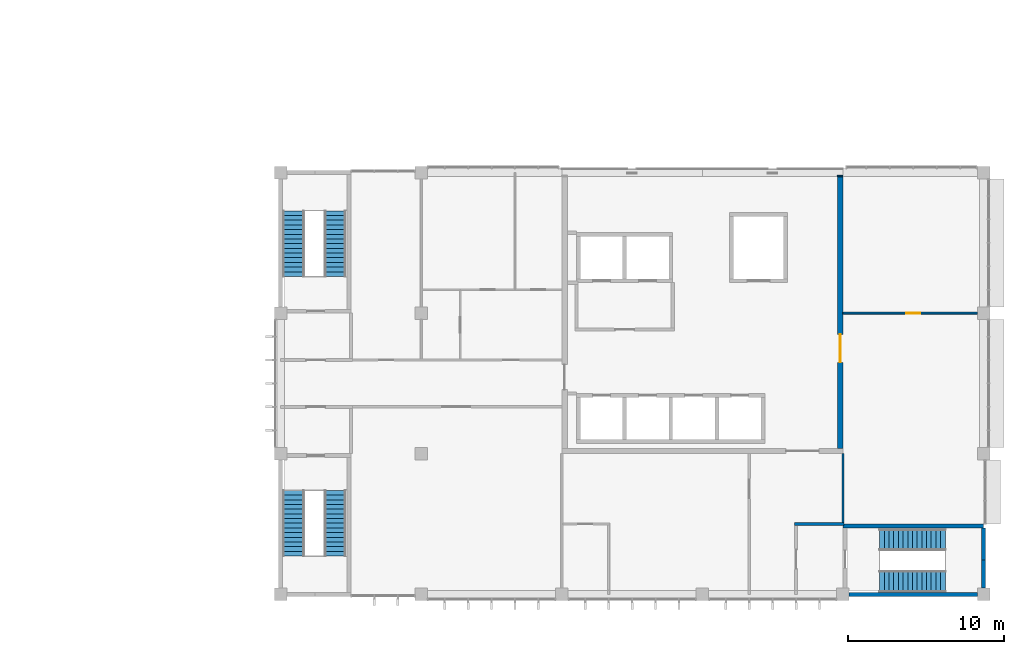
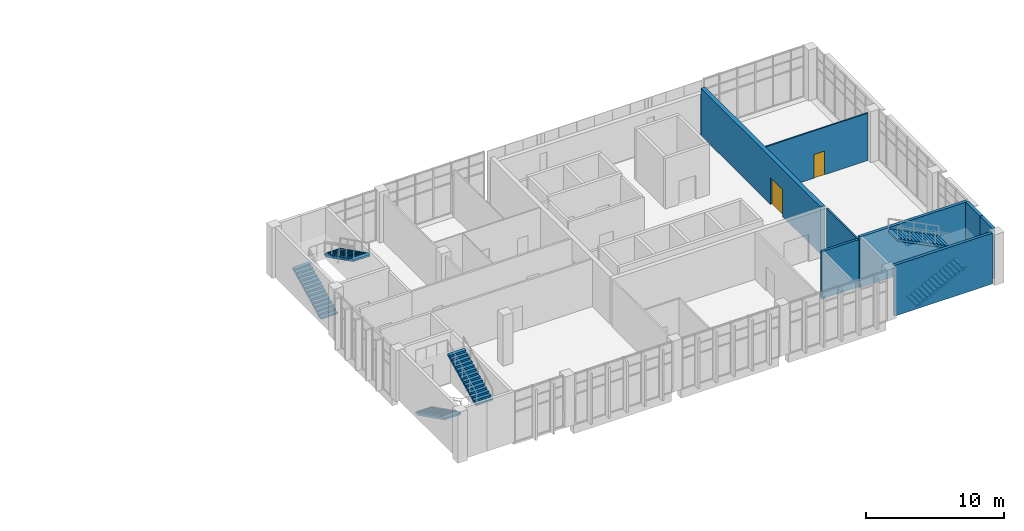
# One storey, part 35 of 43: 9 walls, 6 stair flights, 2 doors, 2 openings, 3 elements without a shape of their own.
"""IFC4 building model written with IfcOpenShell, lengths in metres."""

import ifcopenshell
import ifcopenshell.guid

model = None  # the IFC model being written
_history = None  # IfcOwnerHistory: only IFC2X3 demands one
_inside = {}  # id of a spatial element -> (the spatial element, [elements in it])
_under = {}  # id of a project, library or spatial element -> (it, [spatial elements below it])
_declared = {}  # id of a project -> (the project, [libraries it declares])
_typed = {}  # id of a type object -> (the type object, [elements of that type])
_made_of = {}  # id of a material, layer set ... -> (it, [elements and type objects made of it])


def new_model(schema):
    """Start an empty IFC model of exactly this schema.

    Asked for "IFC4X3", IfcOpenShell would pick the latest addendum, in which some entities
    have other attributes; the version numbers below select the first issue.
    IFC2X3 requires an IfcOwnerHistory on every rooted entity: one is made here for all.
    """
    global model, _history
    if schema == "IFC4X3":
        model = ifcopenshell.file(schema_version=(4, 3, 0, 0))
    else:
        model = ifcopenshell.file(schema=schema)
    _inside.clear()
    _under.clear()
    _declared.clear()
    _typed.clear()
    _made_of.clear()
    _history = None
    if model.schema == "IFC2X3":
        org = make("IfcOrganization", Name="unknown")
        user = make(
            "IfcPersonAndOrganization",
            ThePerson=make("IfcPerson", FamilyName="unknown"),
            TheOrganization=org,
        )
        app = make(
            "IfcApplication",
            ApplicationDeveloper=org,
            Version="unknown",
            ApplicationFullName="unknown",
            ApplicationIdentifier="unknown",
        )
        _history = make(
            "IfcOwnerHistory",
            OwningUser=user,
            OwningApplication=app,
            ChangeAction="ADDED",
            CreationDate=0,
        )
    return model


def make(cls, **values):
    """One entity of the class cls with the attributes given. An attribute that is None is left unset."""
    return model.create_entity(
        cls, **{name: value for name, value in values.items() if value is not None}
    )


def rooted(cls, **values):
    """An entity with a GlobalId (a new one), such as an element, a storey or a relation."""
    return make(cls, GlobalId=ifcopenshell.guid.new(), OwnerHistory=_history, **values)


def si_unit(unit_type, name, prefix=None):
    """IfcSIUnit, for example si_unit("LENGTHUNIT", "METRE", prefix="MILLI")."""
    return make("IfcSIUnit", UnitType=unit_type, Prefix=prefix, Name=name)


def assignment(units):
    """IfcUnitAssignment: the units of a project."""
    return None if units is None else make("IfcUnitAssignment", Units=units)


def point(xyz):
    """IfcCartesianPoint."""
    return None if xyz is None else make("IfcCartesianPoint", Coordinates=xyz)


def direction(xyz):
    """IfcDirection."""
    return None if xyz is None else make("IfcDirection", DirectionRatios=xyz)


def frame(location, z_axis=None, x_axis=None):
    """IfcAxis2Placement3D, a coordinate frame: its origin and axes. An axis left out is left unset."""
    return make(
        "IfcAxis2Placement3D",
        Location=point(location),
        Axis=direction(z_axis),
        RefDirection=direction(x_axis),
    )


def frame_2d(location, x_axis=None):
    """IfcAxis2Placement2D, a coordinate frame in the plane: its origin and x axis."""
    return make(
        "IfcAxis2Placement2D", Location=point(location), RefDirection=direction(x_axis)
    )


def origin():
    """The frame at (0, 0, 0) with its axes left unset."""
    return frame((0.0, 0.0, 0.0))


def place(relative_to, where):
    """IfcLocalPlacement: puts the frame where relative to a parent placement (None: the world)."""
    return make(
        "IfcLocalPlacement", PlacementRelTo=relative_to, RelativePlacement=where
    )


def context(
    kind, dimensions, precision=None, world=None, true_north=None, identifier=None
):
    """IfcGeometricRepresentationContext, for example the 3D "Model" context."""
    return make(
        "IfcGeometricRepresentationContext",
        ContextIdentifier=identifier,
        ContextType=kind,
        CoordinateSpaceDimension=dimensions,
        Precision=precision,
        WorldCoordinateSystem=world,
        TrueNorth=true_north,
    )


def subcontext(parent, identifier, kind, view, scale=None):
    """IfcGeometricRepresentationSubContext, for example "Body" below "Model"."""
    return make(
        "IfcGeometricRepresentationSubContext",
        ContextIdentifier=identifier,
        ContextType=kind,
        ParentContext=parent,
        TargetScale=scale,
        TargetView=view,
    )


def project(units=None, contexts=None):
    """IfcProject with its units and contexts."""
    return rooted(
        "IfcProject",
        Name="project",
        RepresentationContexts=contexts,
        UnitsInContext=assignment(units),
    )


def spatial(cls, under=None, at=None, **own):
    """A site, building, storey or space (cls), placed at a placement, below another one or the project."""
    s = rooted(cls, ObjectPlacement=at, **own)
    if under is not None:
        _under.setdefault(under.id(), (under, []))[1].append(s)
    return s


def polyline(points):
    """IfcPolyline through the points."""
    return make("IfcPolyline", Points=[point(p) for p in points])


def profile(cls, at=None, kind="AREA", **sizes):
    """A parametric profile (cls). Its sizes go by their IFC names, for example OverallWidth=200.0."""
    return make(cls, ProfileType=kind, Position=at, **sizes)


def rectangle(**sizes):
    """IfcRectangleProfileDef."""
    return profile("IfcRectangleProfileDef", **sizes)


def outline(outer, holes=None, kind="AREA"):
    """IfcArbitraryClosedProfileDef: a profile drawn as a closed curve; with holes, ...WithVoids."""
    if holes is None:
        return make("IfcArbitraryClosedProfileDef", ProfileType=kind, OuterCurve=outer)
    return make(
        "IfcArbitraryProfileDefWithVoids",
        ProfileType=kind,
        OuterCurve=outer,
        InnerCurves=holes,
    )


def extrude(swept, where, along, depth):
    """IfcExtrudedAreaSolid: the profile swept, set in the frame where, extruded along a direction by depth."""
    return make(
        "IfcExtrudedAreaSolid",
        SweptArea=swept,
        Position=where,
        ExtrudedDirection=direction(along),
        Depth=depth,
    )


def shape(context_of_items, identifier, shape_type, items):
    """IfcShapeRepresentation: the items that make up one representation, for example the "Body"."""
    return make(
        "IfcShapeRepresentation",
        ContextOfItems=context_of_items,
        RepresentationIdentifier=identifier,
        RepresentationType=shape_type,
        Items=items,
    )


def material(Name=None, Category=None):
    """IfcMaterial."""
    return make("IfcMaterial", Name=Name, Category=Category)


def layer(
    of_material, thickness, ventilated=None, Name=None, Category=None, Priority=None
):
    """IfcMaterialLayer: one layer of a wall or slab, of a material (None: an air gap)."""
    return make(
        "IfcMaterialLayer",
        Material=of_material,
        LayerThickness=thickness,
        IsVentilated=ventilated,
        Name=Name,
        Category=Category,
        Priority=Priority,
    )


def layer_set(layers, Name=None):
    """IfcMaterialLayerSet."""
    return make("IfcMaterialLayerSet", MaterialLayers=layers, LayerSetName=Name)


def made_of(thing, what):
    """Note that an element or type object is made of a material, layer set ...; save() writes the relation."""
    if what is not None:
        _made_of.setdefault(what.id(), (what, []))[1].append(thing)
    return thing


def type_object(cls, material=None, **own):
    """A type object (cls), such as IfcWallType, which elements share."""
    return made_of(rooted(cls, **own), material)


def element(
    cls,
    number,
    at=None,
    inside=None,
    cuts=None,
    type_object=None,
    material=None,
    context=None,
    identifier="Body",
    shape_type=None,
    held_by="IfcProductDefinitionShape",
    body=None,
    shapes=None,
    **own,
):
    """One element of the class cls, such as IfcWall. Its Tag is "e" and its number.

    at: its placement. inside: the storey or other place that contains it. cuts: it is an
    opening in that element (IfcRelVoidsElement). A single representation is given by context,
    identifier, shape_type and body (its items); several are given by shapes. held_by: the class
    of the entity that holds the representations. save() writes the other relations.
    """
    e = rooted(cls, Tag="e%d" % number, ObjectPlacement=at, **own)
    if body is not None:
        shapes = [shape(context, identifier, shape_type, body)]
    if shapes is not None:
        e.Representation = make(held_by, Representations=shapes)
    if inside is not None:
        _inside.setdefault(inside.id(), (inside, []))[1].append(e)
    if cuts is not None:
        rooted(
            "IfcRelVoidsElement", RelatingBuildingElement=cuts, RelatedOpeningElement=e
        )
    if type_object is not None:
        _typed.setdefault(type_object.id(), (type_object, []))[1].append(e)
    return made_of(e, material)


def fill(opening, filler):
    """IfcRelFillsElement: the door or window that sits in an opening."""
    return rooted(
        "IfcRelFillsElement",
        RelatingOpeningElement=opening,
        RelatedBuildingElement=filler,
    )


def aggregate(whole, parts):
    """IfcRelAggregates: a whole, such as a stair, and the parts it consists of."""
    return rooted("IfcRelAggregates", RelatingObject=whole, RelatedObjects=parts)


def save(model, path):
    """Write the relations noted so far, then the file.

    IfcRelAggregates (storeys below a building ...), IfcRelContainedInSpatialStructure (elements
    in a storey), IfcRelDefinesByType, IfcRelAssociatesMaterial and IfcRelDeclares: one each for
    every whole, place, type object, material and project.
    """
    for whole, parts in _under.values():
        aggregate(whole, parts)
    for where, things in _inside.values():
        rooted(
            "IfcRelContainedInSpatialStructure",
            RelatedElements=things,
            RelatingStructure=where,
        )
    for kind, things in _typed.values():
        rooted("IfcRelDefinesByType", RelatedObjects=things, RelatingType=kind)
    for what, things in _made_of.values():
        rooted("IfcRelAssociatesMaterial", RelatedObjects=things, RelatingMaterial=what)
    for by, libraries in _declared.values():
        rooted("IfcRelDeclares", RelatingContext=by, RelatedDefinitions=libraries)
    model.write(path)


model = new_model("IFC4")

# Units and contexts
model_context = context("Model", 3, precision=1e-05, world=origin(), true_north=direction((0.0, 1.0)))
body_context = subcontext(model_context, "Body", "Model", "MODEL_VIEW")
ifc_project = project(units=[si_unit("LENGTHUNIT", "METRE"), si_unit("AREAUNIT", "SQUARE_METRE"), si_unit("VOLUMEUNIT", "CUBIC_METRE"), si_unit("PLANEANGLEUNIT", "RADIAN"), si_unit("MASSUNIT", "GRAM", prefix="KILO")], contexts=[model_context])

# Site, building, storey
site_placement = place(None, origin())
site = spatial("IfcSite", under=ifc_project, at=site_placement, CompositionType="ELEMENT")
building_placement = place(site_placement, origin())
building = spatial("IfcBuilding", under=site, at=building_placement, Name="Guidao Yard Department Store", CompositionType="ELEMENT")
storey_placement = place(building_placement, frame((0.0, 0.0, 28.5)))
storey = spatial("IfcBuildingStorey", under=building, at=storey_placement, Name="L06", CompositionType="ELEMENT", Elevation=28.5)

# Wall
ifc_material_1 = material(Name="Gypsum Board")
ifc_layer_1 = layer(ifc_material_1, 0.14990234375)
ifc_layer_set_1 = layer_set([ifc_layer_1], Name="Corridor Partition 150 Gypsum Board EI 60")
wall_type_1 = type_object("IfcWallType", Name="Corridor Partition 150 Gypsum Board EI 60", PredefinedType="PARTITIONING", material=ifc_layer_set_1)
wall_1_placement = place(storey_placement, frame((162.0, 4.60009765625, 0.0), z_axis=(0.0, 0.0, 1.0), x_axis=(0.0, 1.0, 0.0)))
element("IfcWall", 1, at=wall_1_placement, inside=storey, type_object=wall_type_1, Name="pt.wall.L06.0028", PredefinedType="PARTITIONING", context=body_context, shape_type="SweptSolid", body=[
    extrude(rectangle(XDim=4.39990234375, YDim=0.14990234375, at=frame_2d((2.199951171875, 0.0))), origin(), (0.0, 0.0, 1.0), 4.199951171875),
])

# Wall, opening, door
ifc_material_2 = material(Name="Gypsum Board")
ifc_layer_2 = layer(ifc_material_2, 0.1201171875)
ifc_layer_set_2 = layer_set([ifc_layer_2], Name="Partition 120 Gypsum Board EI 45")
wall_type_2 = type_object("IfcWallType", Name="Partition 120 Gypsum Board EI 45", PredefinedType="PARTITIONING", material=ifc_layer_set_2)
wall_2_placement = place(storey_placement, frame((162.0, 18.0, 0.0), z_axis=(0.0, 0.0, 1.0), x_axis=(1.0, 0.0, 0.0)))
wall_2 = element("IfcWall", 2, at=wall_2_placement, inside=storey, type_object=wall_type_2, Name="pt.wall.L06.0010", PredefinedType="PARTITIONING", context=body_context, shape_type="SweptSolid", body=[
    extrude(rectangle(XDim=8.60009765625, YDim=0.1201171875, at=frame_2d((4.300048828125, 0.0))), origin(), (0.0, 0.0, 1.0), 4.199951171875),
])
opening_1_placement = place(wall_2_placement, frame((4.050048828125, 0.0, 0.0)))
opening_1 = element("IfcOpeningElement", 3, at=opening_1_placement, cuts=wall_2, Name="Opening L06-415", PredefinedType="OPENING", context=body_context, shape_type="SweptSolid", body=[
    extrude(rectangle(XDim=0.89990234375, YDim=2.10009765625, at=frame_2d((0.449951171875, 1.050048828125))), frame((0.0, 0.070068359375, 0.0), z_axis=(0.0, -1.0, 0.0), x_axis=(1.0, 0.0, 0.0)), (0.0, 0.0, 1.0), 0.14013671875),
])
ifc_material_3 = material(Name="Timber door leaf with Steel Q235 frame", Category="steel")
door_type_1 = type_object("IfcDoorType", Name="Door 900 x 2100 NOT RATED Single Leaf", OperationType="SINGLE_SWING_LEFT", PredefinedType="DOOR", material=ifc_material_3)
door_1_placement = place(opening_1_placement, origin())
door_1 = element("IfcDoor", 4, at=door_1_placement, inside=storey, type_object=door_type_1, Name="Door L06-415", OperationType="SINGLE_SWING_RIGHT", OverallHeight=2.10009765625, OverallWidth=0.89990234375, PredefinedType="DOOR", context=body_context, shape_type="SweptSolid", body=[
    extrude(rectangle(XDim=0.89990234375, YDim=2.10009765625, at=frame_2d((0.449951171875, 1.050048828125))), frame((0.0, 0.02490234375, 0.0), z_axis=(0.0, -1.0, 0.0), x_axis=(1.0, 0.0, 0.0)), (0.0, 0.0, 1.0), 0.050048828125),
])
fill(opening_1, door_1)

# Wall
ifc_material_4 = material(Name="Autoclaved aerated concrete block A3.5 B06", Category="concrete")
ifc_layer_3 = layer(ifc_material_4, 0.199951171875)
ifc_layer_set_3 = layer_set([ifc_layer_3], Name="Shaft Wall 200 Autoclaved Block EI 120")
wall_type_3 = type_object("IfcWallType", Name="Shaft Wall 200 Autoclaved Block EI 120", PredefinedType="PARTITIONING", material=ifc_layer_set_3)
wall_3_placement = place(storey_placement, frame((158.89990234375, 4.5, 0.0), z_axis=(0.0, 0.0, 1.0), x_axis=(1.0, 0.0, 0.0)))
element("IfcWall", 5, at=wall_3_placement, inside=storey, type_object=wall_type_3, Name="pt.wall.L06.0002", PredefinedType="PARTITIONING", context=body_context, shape_type="SweptSolid", body=[
    extrude(rectangle(XDim=3.175048828125, YDim=0.199951171875, at=frame_2d((1.58740234375, 0.0))), origin(), (0.0, 0.0, 1.0), 4.199951171875),
])

# Wall, opening, door
ifc_material_5 = material(Name="Concrete C50", Category="concrete")
ifc_layer_4 = layer(ifc_material_5, 0.35009765625)
ifc_layer_set_4 = layer_set([ifc_layer_4], Name="Shear Wall 350 Concrete C50")
wall_type_4 = type_object("IfcWallType", Name="Shear Wall 350 Concrete C50", PredefinedType="SHEAR", material=ifc_layer_set_4)
wall_4_placement = place(storey_placement, frame((161.824951171875, 9.35009765625, 0.0), z_axis=(0.0, 0.0, 1.0), x_axis=(0.0, 1.0, 0.0)))
wall_4 = element("IfcWall", 6, at=wall_4_placement, inside=storey, type_object=wall_type_4, Name="pt.wall.L06.0027", PredefinedType="SHEAR", context=body_context, shape_type="SweptSolid", body=[
    extrude(rectangle(XDim=17.39990234375, YDim=0.35009765625, at=frame_2d((8.699951171875, 0.0))), origin(), (0.0, 0.0, 1.0), 4.199951171875),
])
opening_2_placement = place(wall_4_placement, frame((7.300048828125, 0.0, 0.0), z_axis=(0.0, 0.0, 1.0), x_axis=(-1.0, 0.0, 0.0)))
opening_2 = element("IfcOpeningElement", 7, at=opening_2_placement, cuts=wall_4, Name="Opening L06-405", PredefinedType="OPENING", context=body_context, shape_type="SweptSolid", body=[
    extrude(rectangle(XDim=1.800048828125, YDim=2.39990234375, at=frame_2d((0.89990234375, 1.199951171875))), frame((0.0, 0.18505859375, 0.0), z_axis=(0.0, -1.0, 0.0), x_axis=(1.0, 0.0, 0.0)), (0.0, 0.0, 1.0), 0.3701171875),
])
ifc_material_6 = material(Name="Timber door leaf with Steel Q235 frame", Category="steel")
door_type_2 = type_object("IfcDoorType", Name="Door 1800 x 2400 FD60 Double Leaf", OperationType="DOUBLE_DOOR_SINGLE_SWING", PredefinedType="DOOR", material=ifc_material_6)
door_2_placement = place(opening_2_placement, origin())
door_2 = element("IfcDoor", 8, at=door_2_placement, inside=storey, type_object=door_type_2, Name="Door L06-405", OperationType="DOUBLE_DOOR_SINGLE_SWING", OverallHeight=2.39990234375, OverallWidth=1.800048828125, PredefinedType="DOOR", context=body_context, shape_type="SweptSolid", body=[
    extrude(rectangle(XDim=1.800048828125, YDim=2.39990234375, at=frame_2d((0.89990234375, 1.199951171875))), frame((0.0, 0.02490234375, 0.0), z_axis=(0.0, -1.0, 0.0), x_axis=(1.0, 0.0, 0.0)), (0.0, 0.0, 1.0), 0.050048828125),
])
fill(opening_2, door_2)

# Walls
wall_5_placement = place(storey_placement, frame((161.824951171875, 26.75, 0.0), z_axis=(0.0, 0.0, 1.0), x_axis=(0.0, 1.0, 0.0)))
element("IfcWall", 9, at=wall_5_placement, inside=storey, type_object=wall_type_4, Name="pt.wall.L06.0027a", PredefinedType="SHEAR", context=body_context, shape_type="SweptSolid", body=[
    extrude(rectangle(XDim=0.074951171875, YDim=0.35009765625, at=frame_2d((0.03759765625, 0.0))), origin(), (0.0, 0.0, 1.0), 3.60009765625),
])
ifc_material_7 = material(Name="Concrete C40", Category="concrete")
ifc_layer_5 = layer(ifc_material_7, 0.25)
ifc_layer_set_5 = layer_set([ifc_layer_5], Name="Wall RC 250 C40 stair and shaft")
wall_type_5 = type_object("IfcWallType", Name="Wall RC 250 C40 stair and shaft", PredefinedType="SHEAR", material=ifc_layer_set_5)
wall_6_placement = place(storey_placement, frame((162.39990234375, 0.0, 0.0), z_axis=(0.0, 0.0, 1.0), x_axis=(1.0, 0.0, 0.0)))
element("IfcWall", 10, at=wall_6_placement, inside=storey, type_object=wall_type_5, Name="Stair wall SO2", PredefinedType="SHEAR", context=body_context, shape_type="SweptSolid", body=[
    extrude(rectangle(XDim=8.2001953125, YDim=0.25, at=frame_2d((4.10009765625, 0.0))), origin(), (0.0, 0.0, 1.0), 4.5),
])
wall_7_placement = place(storey_placement, frame((162.0, 4.375, 0.0), z_axis=(0.0, 0.0, 1.0), x_axis=(1.0, 0.0, 0.0)))
element("IfcWall", 11, at=wall_7_placement, inside=storey, type_object=wall_type_5, Name="Stair wall SO2", PredefinedType="SHEAR", context=body_context, shape_type="SweptSolid", body=[
    extrude(rectangle(XDim=9.0, YDim=0.25, at=frame_2d((4.5, 0.0))), origin(), (0.0, 0.0, 1.0), 4.5),
])
wall_8_placement = place(storey_placement, frame((171.0, 0.39990234375, 0.0), z_axis=(0.0, 0.0, 1.0), x_axis=(0.0, 1.0, 0.0)))
element("IfcWall", 12, at=wall_8_placement, inside=storey, type_object=wall_type_5, Name="Stair wall SO2", PredefinedType="SHEAR", context=body_context, shape_type="SweptSolid", body=[
    extrude(rectangle(XDim=1.7880859375, YDim=0.25, at=frame_2d((0.89404296875, 0.0))), origin(), (0.0, 0.0, 1.0), 4.5),
])
wall_9_placement = place(storey_placement, frame((171.0, 2.18798828125, 0.0), z_axis=(0.0, 0.0, 1.0), x_axis=(0.0, 1.0, 0.0)))
element("IfcWall", 13, at=wall_9_placement, inside=storey, type_object=wall_type_5, Name="Stair wall SO2", PredefinedType="SHEAR", context=body_context, shape_type="SweptSolid", body=[
    extrude(rectangle(XDim=2.06201171875, YDim=0.25, at=frame_2d((1.031005859375, 0.0))), origin(), (0.0, 0.0, 1.0), 4.5),
])

# Stair, stair flights
ifc_material_8 = material(Name="Concrete C35", Category="concrete")
stair_type = type_object("IfcStairType", Name="Stair half-turn two-flight 1400 wide 4.5 m rise", PredefinedType="HALF_TURN_STAIR", material=ifc_material_8)
stair_1_placement = place(storey_placement, origin())
stair_1 = element("IfcStair", 14, at=stair_1_placement, inside=storey, type_object=stair_type, Name="Stair O1 L06 to L07", PredefinedType="HALF_TURN_STAIR")
ifc_material_9 = material(Name="Concrete C35", Category="concrete")
stair_flight_type = type_object("IfcStairFlightType", Name="Stair flight RC straight 1400 wide 15 risers x 300 going C35", PredefinedType="STRAIGHT", material=ifc_material_9)
stair_flight_1_placement = place(storey_placement, frame((126.824951171875, 6.64990234375, 0.0), z_axis=(0.0, 0.0, 1.0), x_axis=(0.0, -1.0, 0.0)))
stair_flight_1 = element("IfcStairFlight", 15, at=stair_flight_1_placement, type_object=stair_flight_type, Name="SO1-L06 flight 1", NumberOfRisers=15, NumberOfTreads=14, PredefinedType="STRAIGHT", RiserHeight=0.15, TreadLength=0.3, context=body_context, shape_type="SweptSolid", body=[
    extrude(outline(polyline([(0.0, 0.0), (0.0, 0.14990234375), (0.300048828125, 0.14990234375), (0.300048828125, 0.300048828125), (0.60009765625, 0.300048828125), (0.60009765625, 0.449951171875), (0.89990234375, 0.449951171875), (0.89990234375, 0.60009765625), (1.199951171875, 0.60009765625), (1.199951171875, 0.75), (1.5, 0.75), (1.5, 0.89990234375), (1.800048828125, 0.89990234375), (1.800048828125, 1.050048828125), (2.10009765625, 1.050048828125), (2.10009765625, 1.199951171875), (2.39990234375, 1.199951171875), (2.39990234375, 1.35009765625), (2.699951171875, 1.35009765625), (2.699951171875, 1.5), (3.0, 1.5), (3.0, 1.64990234375), (3.300048828125, 1.64990234375), (3.300048828125, 1.800048828125), (3.60009765625, 1.800048828125), (3.60009765625, 1.949951171875), (3.89990234375, 1.949951171875), (3.89990234375, 2.10009765625), (4.199951171875, 2.10009765625), (4.199951171875, 2.25), (4.199951171875, 1.932373046875), (0.335205078125, 0.0), (0.0, 0.0)])), frame((0.0, 0.699951171875, 0.0), z_axis=(0.0, -1.0, 0.0), x_axis=(1.0, 0.0, 0.0)), (0.0, 0.0, 1.0), 1.39990234375),
])
stair_flight_2_placement = place(storey_placement, frame((129.5, 2.449951171875, 2.25), z_axis=(0.0, 0.0, 1.0), x_axis=(0.0, 1.0, 0.0)))
stair_flight_2 = element("IfcStairFlight", 16, at=stair_flight_2_placement, type_object=stair_flight_type, Name="SO1-L06 flight 2", NumberOfRisers=15, NumberOfTreads=14, PredefinedType="STRAIGHT", RiserHeight=0.15, TreadLength=0.3, context=body_context, shape_type="SweptSolid", body=[
    extrude(outline(polyline([(0.0, 0.0), (0.0, 0.14990234375), (0.300048828125, 0.14990234375), (0.300048828125, 0.300048828125), (0.60009765625, 0.300048828125), (0.60009765625, 0.449951171875), (0.89990234375, 0.449951171875), (0.89990234375, 0.60009765625), (1.199951171875, 0.60009765625), (1.199951171875, 0.75), (1.5, 0.75), (1.5, 0.89990234375), (1.800048828125, 0.89990234375), (1.800048828125, 1.050048828125), (2.10009765625, 1.050048828125), (2.10009765625, 1.199951171875), (2.39990234375, 1.199951171875), (2.39990234375, 1.35009765625), (2.699951171875, 1.35009765625), (2.699951171875, 1.5), (3.0, 1.5), (3.0, 1.64990234375), (3.300048828125, 1.64990234375), (3.300048828125, 1.800048828125), (3.60009765625, 1.800048828125), (3.60009765625, 1.949951171875), (3.89990234375, 1.949951171875), (3.89990234375, 2.10009765625), (4.199951171875, 2.10009765625), (4.199951171875, 2.25), (4.199951171875, 1.932373046875), (0.335205078125, 0.0), (0.0, 0.0)])), frame((0.0, 0.699951171875, 0.0), z_axis=(0.0, -1.0, 0.0), x_axis=(1.0, 0.0, 0.0)), (0.0, 0.0, 1.0), 1.39990234375),
])
aggregate(stair_1, [stair_flight_1, stair_flight_2])

stair_2_placement = place(storey_placement, origin())
stair_2 = element("IfcStair", 17, at=stair_2_placement, inside=storey, type_object=stair_type, Name="Stair O2 L06 to L07", PredefinedType="HALF_TURN_STAIR")
stair_flight_3_placement = place(storey_placement, frame((164.35009765625, 0.824951171875, 0.0), z_axis=(0.0, 0.0, 1.0), x_axis=(1.0, 0.0, 0.0)))
stair_flight_3 = element("IfcStairFlight", 18, at=stair_flight_3_placement, type_object=stair_flight_type, Name="SO2-L06 flight 1", NumberOfRisers=15, NumberOfTreads=14, PredefinedType="STRAIGHT", RiserHeight=0.15, TreadLength=0.3, context=body_context, shape_type="SweptSolid", body=[
    extrude(outline(polyline([(0.0, 0.0), (0.0, 0.14990234375), (0.300048828125, 0.14990234375), (0.300048828125, 0.300048828125), (0.60009765625, 0.300048828125), (0.60009765625, 0.449951171875), (0.89990234375, 0.449951171875), (0.89990234375, 0.60009765625), (1.199951171875, 0.60009765625), (1.199951171875, 0.75), (1.5, 0.75), (1.5, 0.89990234375), (1.800048828125, 0.89990234375), (1.800048828125, 1.050048828125), (2.10009765625, 1.050048828125), (2.10009765625, 1.199951171875), (2.39990234375, 1.199951171875), (2.39990234375, 1.35009765625), (2.699951171875, 1.35009765625), (2.699951171875, 1.5), (3.0, 1.5), (3.0, 1.64990234375), (3.300048828125, 1.64990234375), (3.300048828125, 1.800048828125), (3.60009765625, 1.800048828125), (3.60009765625, 1.949951171875), (3.89990234375, 1.949951171875), (3.89990234375, 2.10009765625), (4.199951171875, 2.10009765625), (4.199951171875, 2.25), (4.199951171875, 1.932373046875), (0.335205078125, 0.0), (0.0, 0.0)])), frame((0.0, 0.699951171875, 0.0), z_axis=(0.0, -1.0, 0.0), x_axis=(1.0, 0.0, 0.0)), (0.0, 0.0, 1.0), 1.39990234375),
])
stair_flight_4_placement = place(storey_placement, frame((168.550048828125, 3.5, 2.25), z_axis=(0.0, 0.0, 1.0), x_axis=(-1.0, 0.0, 0.0)))
stair_flight_4 = element("IfcStairFlight", 19, at=stair_flight_4_placement, type_object=stair_flight_type, Name="SO2-L06 flight 2", NumberOfRisers=15, NumberOfTreads=14, PredefinedType="STRAIGHT", RiserHeight=0.15, TreadLength=0.3, context=body_context, shape_type="SweptSolid", body=[
    extrude(outline(polyline([(0.0, 0.0), (0.0, 0.14990234375), (0.300048828125, 0.14990234375), (0.300048828125, 0.300048828125), (0.60009765625, 0.300048828125), (0.60009765625, 0.449951171875), (0.89990234375, 0.449951171875), (0.89990234375, 0.60009765625), (1.199951171875, 0.60009765625), (1.199951171875, 0.75), (1.5, 0.75), (1.5, 0.89990234375), (1.800048828125, 0.89990234375), (1.800048828125, 1.050048828125), (2.10009765625, 1.050048828125), (2.10009765625, 1.199951171875), (2.39990234375, 1.199951171875), (2.39990234375, 1.35009765625), (2.699951171875, 1.35009765625), (2.699951171875, 1.5), (3.0, 1.5), (3.0, 1.64990234375), (3.300048828125, 1.64990234375), (3.300048828125, 1.800048828125), (3.60009765625, 1.800048828125), (3.60009765625, 1.949951171875), (3.89990234375, 1.949951171875), (3.89990234375, 2.10009765625), (4.199951171875, 2.10009765625), (4.199951171875, 2.25), (4.199951171875, 1.932373046875), (0.335205078125, 0.0), (0.0, 0.0)])), frame((0.0, 0.699951171875, 0.0), z_axis=(0.0, -1.0, 0.0), x_axis=(1.0, 0.0, 0.0)), (0.0, 0.0, 1.0), 1.39990234375),
])
aggregate(stair_2, [stair_flight_3, stair_flight_4])

stair_3_placement = place(storey_placement, origin())
stair_3 = element("IfcStair", 20, at=stair_3_placement, inside=storey, type_object=stair_type, Name="Stair O3 L06 to L07", PredefinedType="HALF_TURN_STAIR")
stair_flight_5_placement = place(storey_placement, frame((126.824951171875, 20.35009765625, 0.0), z_axis=(0.0, 0.0, 1.0), x_axis=(0.0, 1.0, 0.0)))
stair_flight_5 = element("IfcStairFlight", 21, at=stair_flight_5_placement, type_object=stair_flight_type, Name="SO3-L06 flight 1", NumberOfRisers=15, NumberOfTreads=14, PredefinedType="STRAIGHT", RiserHeight=0.15, TreadLength=0.3, context=body_context, shape_type="SweptSolid", body=[
    extrude(outline(polyline([(0.0, 0.0), (0.0, 0.14990234375), (0.300048828125, 0.14990234375), (0.300048828125, 0.300048828125), (0.60009765625, 0.300048828125), (0.60009765625, 0.449951171875), (0.89990234375, 0.449951171875), (0.89990234375, 0.60009765625), (1.199951171875, 0.60009765625), (1.199951171875, 0.75), (1.5, 0.75), (1.5, 0.89990234375), (1.800048828125, 0.89990234375), (1.800048828125, 1.050048828125), (2.10009765625, 1.050048828125), (2.10009765625, 1.199951171875), (2.39990234375, 1.199951171875), (2.39990234375, 1.35009765625), (2.699951171875, 1.35009765625), (2.699951171875, 1.5), (3.0, 1.5), (3.0, 1.64990234375), (3.300048828125, 1.64990234375), (3.300048828125, 1.800048828125), (3.60009765625, 1.800048828125), (3.60009765625, 1.949951171875), (3.89990234375, 1.949951171875), (3.89990234375, 2.10009765625), (4.199951171875, 2.10009765625), (4.199951171875, 2.25), (4.199951171875, 1.932373046875), (0.335205078125, 0.0), (0.0, 0.0)])), frame((0.0, 0.699951171875, 0.0), z_axis=(0.0, -1.0, 0.0), x_axis=(1.0, 0.0, 0.0)), (0.0, 0.0, 1.0), 1.39990234375),
])
stair_flight_6_placement = place(storey_placement, frame((129.5, 24.550048828125, 2.25), z_axis=(0.0, 0.0, 1.0), x_axis=(0.0, -1.0, 0.0)))
stair_flight_6 = element("IfcStairFlight", 22, at=stair_flight_6_placement, type_object=stair_flight_type, Name="SO3-L06 flight 2", NumberOfRisers=15, NumberOfTreads=14, PredefinedType="STRAIGHT", RiserHeight=0.15, TreadLength=0.3, context=body_context, shape_type="SweptSolid", body=[
    extrude(outline(polyline([(0.0, 0.0), (0.0, 0.14990234375), (0.300048828125, 0.14990234375), (0.300048828125, 0.300048828125), (0.60009765625, 0.300048828125), (0.60009765625, 0.449951171875), (0.89990234375, 0.449951171875), (0.89990234375, 0.60009765625), (1.199951171875, 0.60009765625), (1.199951171875, 0.75), (1.5, 0.75), (1.5, 0.89990234375), (1.800048828125, 0.89990234375), (1.800048828125, 1.050048828125), (2.10009765625, 1.050048828125), (2.10009765625, 1.199951171875), (2.39990234375, 1.199951171875), (2.39990234375, 1.35009765625), (2.699951171875, 1.35009765625), (2.699951171875, 1.5), (3.0, 1.5), (3.0, 1.64990234375), (3.300048828125, 1.64990234375), (3.300048828125, 1.800048828125), (3.60009765625, 1.800048828125), (3.60009765625, 1.949951171875), (3.89990234375, 1.949951171875), (3.89990234375, 2.10009765625), (4.199951171875, 2.10009765625), (4.199951171875, 2.25), (4.199951171875, 1.932373046875), (0.335205078125, 0.0), (0.0, 0.0)])), frame((0.0, 0.699951171875, 0.0), z_axis=(0.0, -1.0, 0.0), x_axis=(1.0, 0.0, 0.0)), (0.0, 0.0, 1.0), 1.39990234375),
])
aggregate(stair_3, [stair_flight_5, stair_flight_6])

save(model, "model.ifc")
